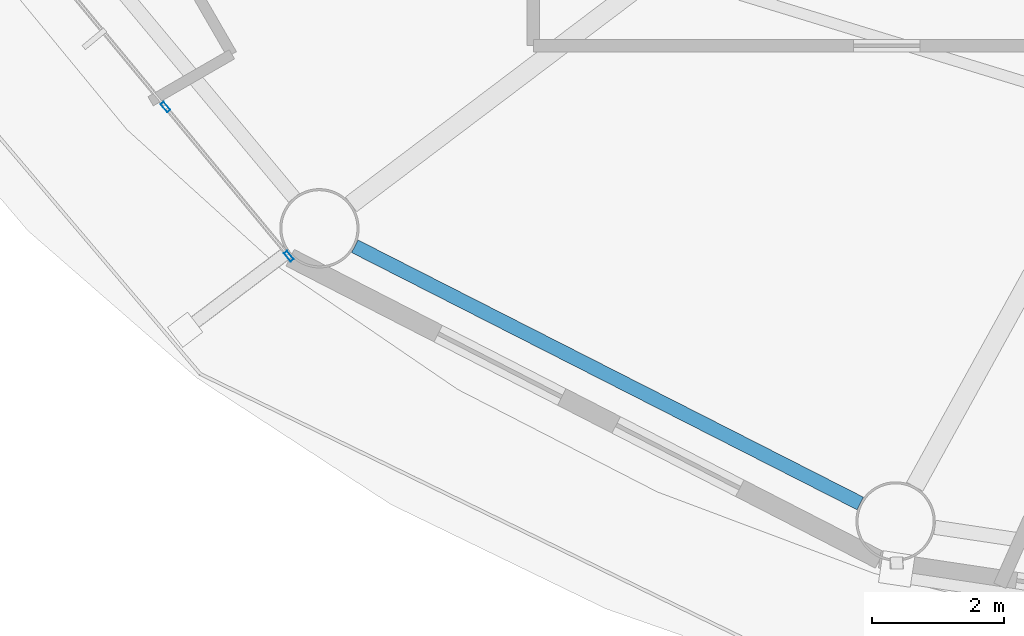
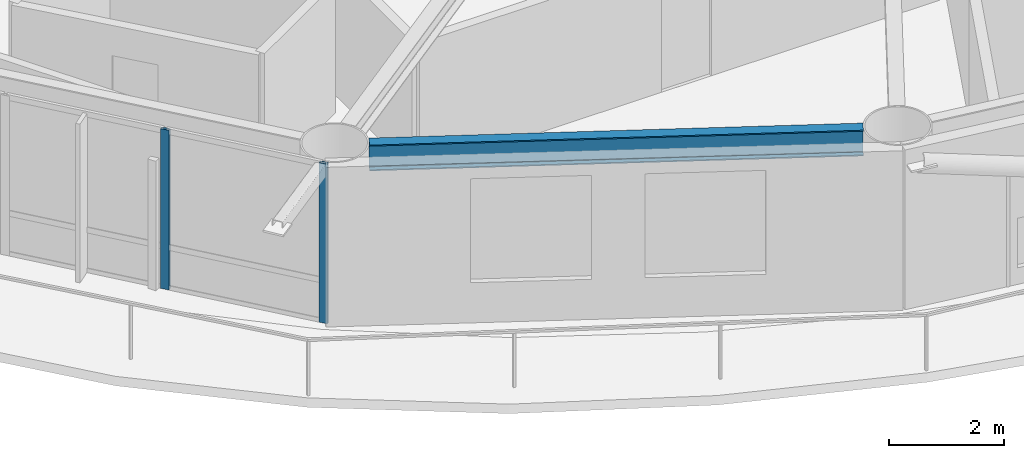
# One storey, part 2 of 28: 2 members, 1 beam, 1 element without a shape of its own.
"""IFC4 building model written with IfcOpenShell, lengths in metres."""

from ifc_helpers import new_model, si_unit, direction, frame, origin, origin_2d, place, context, subcontext, project, spatial, hollow_rectangle, i_section, extrude, material, layer, layer_set, material_profile, profile_set, type_object, element, aggregate, save


model = new_model("IFC4")

# Units and contexts
model_context = context("Model", 3, precision=1e-05, world=origin(), true_north=direction((0.0, 1.0)))
body_context = subcontext(model_context, "Body", "Model", "MODEL_VIEW")
ifc_project = project(units=[si_unit("LENGTHUNIT", "METRE"), si_unit("AREAUNIT", "SQUARE_METRE"), si_unit("VOLUMEUNIT", "CUBIC_METRE"), si_unit("PLANEANGLEUNIT", "RADIAN"), si_unit("MASSUNIT", "GRAM", prefix="KILO")], contexts=[model_context])

# Site, building, storey
site_placement = place(None, origin())
site = spatial("IfcSite", under=ifc_project, at=site_placement, CompositionType="ELEMENT")
building_placement = place(site_placement, origin())
building = spatial("IfcBuilding", under=site, at=building_placement, Name="Sarneth Arch Tower", CompositionType="ELEMENT")
storey_placement = place(building_placement, frame((0.0, 0.0, 179.39990234375)))
storey = spatial("IfcBuildingStorey", under=building, at=storey_placement, Name="L45", CompositionType="ELEMENT", Elevation=179.39990234375)

# Beam
ifc_material_1 = material(Name="Steel S355", Category="steel")
ifc_material_profile_1 = material_profile(ifc_material_1, i_section(OverallWidth=0.214111328125, OverallDepth=0.549072265625, WebThickness=0.0146484375, FlangeThickness=0.023681640625, FilletRadius=0.01806640625, at=origin_2d()), Name="W530x138")
ifc_profile_set_1 = profile_set([ifc_material_profile_1], Name="Steel S355")
beam_type = type_object("IfcBeamType", Name="BM-RAD-530A", PredefinedType="BEAM", material=ifc_profile_set_1)
beam_placement = place(storey_placement, frame((29.40087890625, 27.267578125, 3.105712890625), z_axis=(0.891250372735, -0.453511601945, 0.0), x_axis=(0.453511601945, 0.891250372735, 0.0)))
element("IfcBeam", 1, at=beam_placement, inside=storey, type_object=beam_type, Name="L45 Perimeter spandrel beam 11", PredefinedType="BEAM", context=body_context, shape_type="SweptSolid", body=[
    extrude(i_section(OverallWidth=0.214111328125, OverallDepth=0.549072265625, WebThickness=0.0146484375, FlangeThickness=0.023681640625, FilletRadius=0.01806640625, at=origin_2d()), origin(), (0.0, 0.0, 1.0), 8.5751953125),
])

# Curtain wall, members
ifc_material_2 = material(Name="Anodised aluminium Type AA25 and solar-control low-e laminated IGU", Category="aluminium")
ifc_layer = layer(ifc_material_2, 0.169921875)
ifc_layer_set = layer_set([ifc_layer], Name="Anodised aluminium Type AA25 and solar-control low-e laminated IGU")
curtain_wall_type = type_object("IfcCurtainWallType", Name="CW-RES-MID", PredefinedType="NOTDEFINED", material=ifc_layer_set)
curtain_wall_placement = place(storey_placement, origin())
curtain_wall = element("IfcCurtainWall", 2, at=curtain_wall_placement, inside=storey, type_object=curtain_wall_type, Name="L45 Unitised curtain wall facet 10", PredefinedType="NOTDEFINED")
ifc_material_3 = material(Name="Anodised Aluminium 6063-T6", Category="aluminium")
ifc_material_profile_2 = material_profile(ifc_material_3, hollow_rectangle(XDim=0.06005859375, YDim=0.159912109375, WallThickness=0.00390625, at=origin_2d()), Name="AL-MULL-160x60x4")
ifc_profile_set_2 = profile_set([ifc_material_profile_2], Name="Anodised Aluminium 6063-T6")
member_type = type_object("IfcMemberType", Name="CW-MULLION", PredefinedType="MULLION", material=ifc_profile_set_2)
member_1_placement = place(storey_placement, frame((26.53857421875, 29.373779296875, 0.0), z_axis=(0.0, 0.0, 1.0), x_axis=(0.770590741276, 0.637330298558, 0.0)))
member_1 = element("IfcMember", 3, at=member_1_placement, type_object=member_type, Name="CW-SYS-5 mullion 3", PredefinedType="MULLION", context=body_context, shape_type="SweptSolid", body=[
    extrude(hollow_rectangle(XDim=0.06005859375, YDim=0.159912109375, WallThickness=0.00390625, at=origin_2d()), origin(), (0.0, 0.0, 1.0), 3.380126953125),
])
member_2_placement = place(storey_placement, frame((28.40478515625, 27.1171875, 0.0), z_axis=(0.0, 0.0, 1.0), x_axis=(0.770590741276, 0.637330298558, 0.0)))
member_2 = element("IfcMember", 4, at=member_2_placement, type_object=member_type, Name="CW-SYS-5 mullion 4", PredefinedType="MULLION", context=body_context, shape_type="SweptSolid", body=[
    extrude(hollow_rectangle(XDim=0.06005859375, YDim=0.159912109375, WallThickness=0.00390625, at=origin_2d()), origin(), (0.0, 0.0, 1.0), 3.380126953125),
])
aggregate(curtain_wall, [member_1, member_2])

save(model, "model.ifc")
